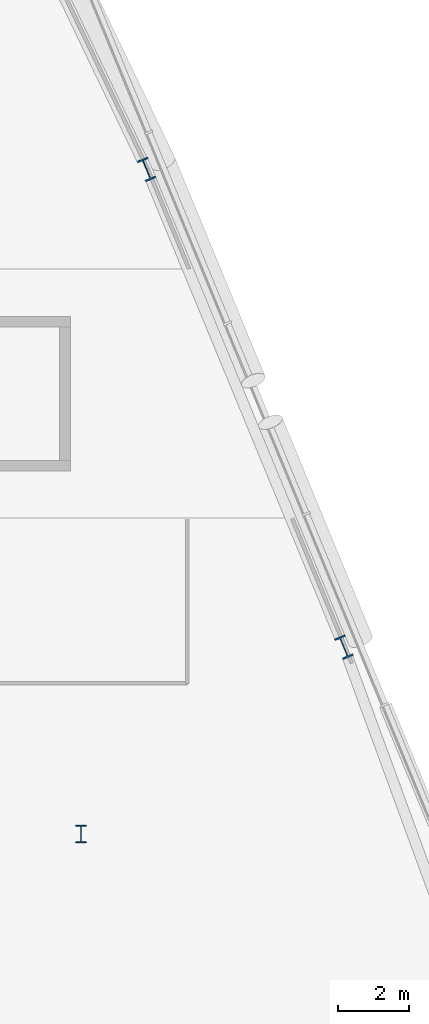
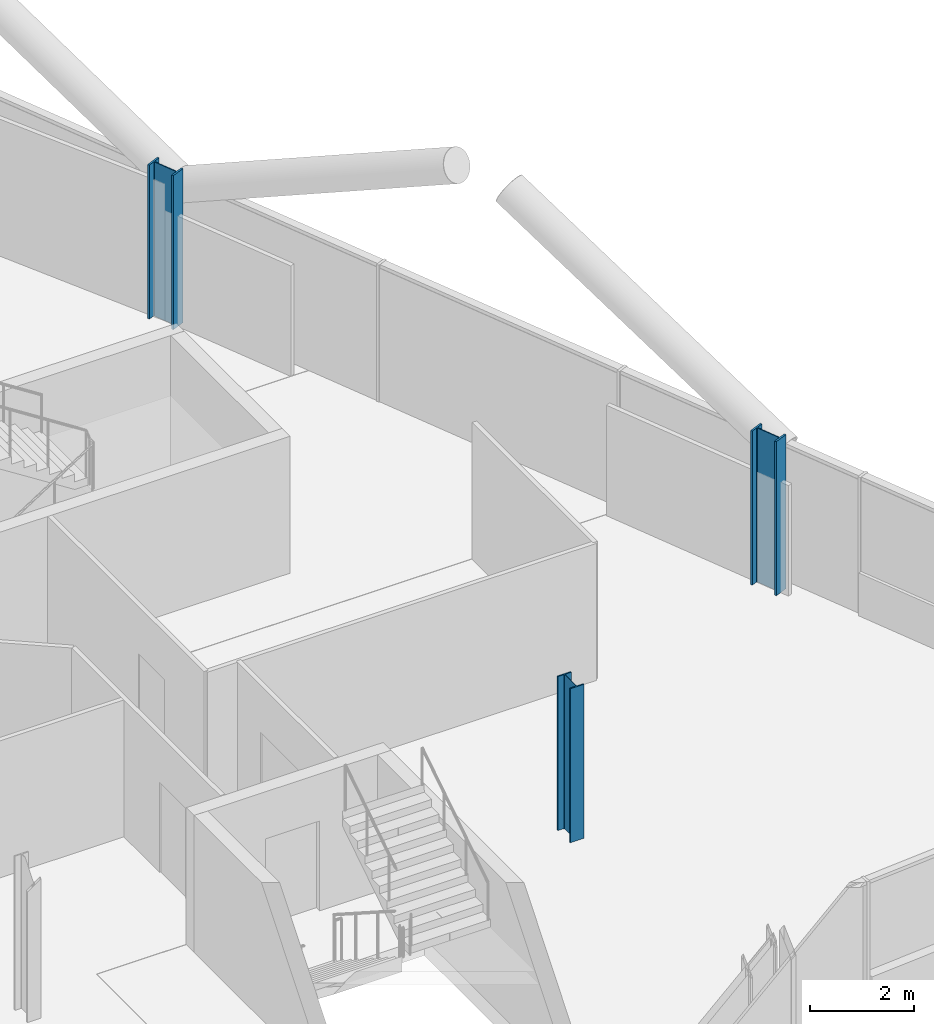
# One storey, part 5 of 26: 3 columns.
"""IFC4 building model written with IfcOpenShell, lengths in metres."""

from ifc_helpers import new_model, si_unit, direction, frame, origin, origin_2d, place, context, subcontext, project, spatial, i_section, extrude, material, material_profile, profile_set, type_object, element, save


model = new_model("IFC4")

# Units and contexts
model_context = context("Model", 3, precision=1e-05, world=origin(), true_north=direction((0.0, 1.0)))
body_context = subcontext(model_context, "Body", "Model", "MODEL_VIEW")
ifc_project = project(units=[si_unit("LENGTHUNIT", "METRE"), si_unit("AREAUNIT", "SQUARE_METRE"), si_unit("VOLUMEUNIT", "CUBIC_METRE"), si_unit("PLANEANGLEUNIT", "RADIAN"), si_unit("MASSUNIT", "GRAM", prefix="KILO")], contexts=[model_context])

# Site, building, storey
site_placement = place(None, origin())
site = spatial("IfcSite", under=ifc_project, at=site_placement, CompositionType="ELEMENT")
building_placement = place(site_placement, origin())
building = spatial("IfcBuilding", under=site, at=building_placement, Name="Wharfspan Tower", CompositionType="ELEMENT")
storey_placement = place(building_placement, frame((0.0, 0.0, 169.899902)))
storey = spatial("IfcBuildingStorey", under=building, at=storey_placement, Name="L41", CompositionType="ELEMENT", Elevation=169.899902)

# Columns
ifc_material = material(Name="Steel S355J2", Category="steel")
ifc_material_profile_1 = material_profile(ifc_material, i_section(OverallWidth=0.300049, OverallDepth=0.5, WebThickness=0.014404, FlangeThickness=0.028076, FilletRadius=0.0271, at=origin_2d()))
ifc_profile_set_1 = profile_set([ifc_material_profile_1], Name="Steel S355J2")
column_type_1 = type_object("IfcColumnType", Name="Column HEB 500", PredefinedType="COLUMN", material=ifc_profile_set_1)
column_placement = place(storey_placement, frame((72.0, 11.5, 0.0), z_axis=(0.0, 0.0, 1.0), x_axis=(1.0, 0.0, 0.0)))
element("IfcColumn", 1, at=column_placement, inside=storey, type_object=column_type_1, Name="Interior column I.1.5 L41", PredefinedType="COLUMN", context=body_context, shape_type="SweptSolid", body=[
    extrude(i_section(OverallWidth=0.300049, OverallDepth=0.5, WebThickness=0.014404, FlangeThickness=0.028076, FilletRadius=0.0271, at=origin_2d()), origin(), (0.0, 0.0, 1.0), 3.600098),
])
ifc_material_profile_2 = material_profile(ifc_material, i_section(OverallWidth=0.304932, OverallDepth=0.620117, WebThickness=0.020996, FlangeThickness=0.040039, FilletRadius=0.0271, at=origin_2d()))
ifc_profile_set_2 = profile_set([ifc_material_profile_2], Name="Steel S355J2")
column_type_2 = type_object("IfcColumnType", Name="Column HEM 600", PredefinedType="COLUMN", material=ifc_profile_set_2)
for number, where, z_axis, x_axis, name in (
    (2, (79.409668, 16.761719, 0.0), (0.0, 0.0, 1.0), (0.924325, 0.381602, 0.0), "Perimeter column PE.1 L41"),
    (3, (73.85376, 30.219238, 0.0), (0.0, 0.0, 1.0), (0.924325, 0.381602, 0.0), "Perimeter column PE.2 L41"),
):
    element("IfcColumn", number, at=place(storey_placement, frame(where, z_axis=z_axis, x_axis=x_axis)), inside=storey, type_object=column_type_2, Name=name, PredefinedType="COLUMN", context=body_context, shape_type="SweptSolid", body=[
        extrude(i_section(OverallWidth=0.304932, OverallDepth=0.620117, WebThickness=0.020996, FlangeThickness=0.040039, FilletRadius=0.0271, at=origin_2d()), origin(), (0.0, 0.0, 1.0), 3.600098),
    ])

save(model, "model.ifc")
